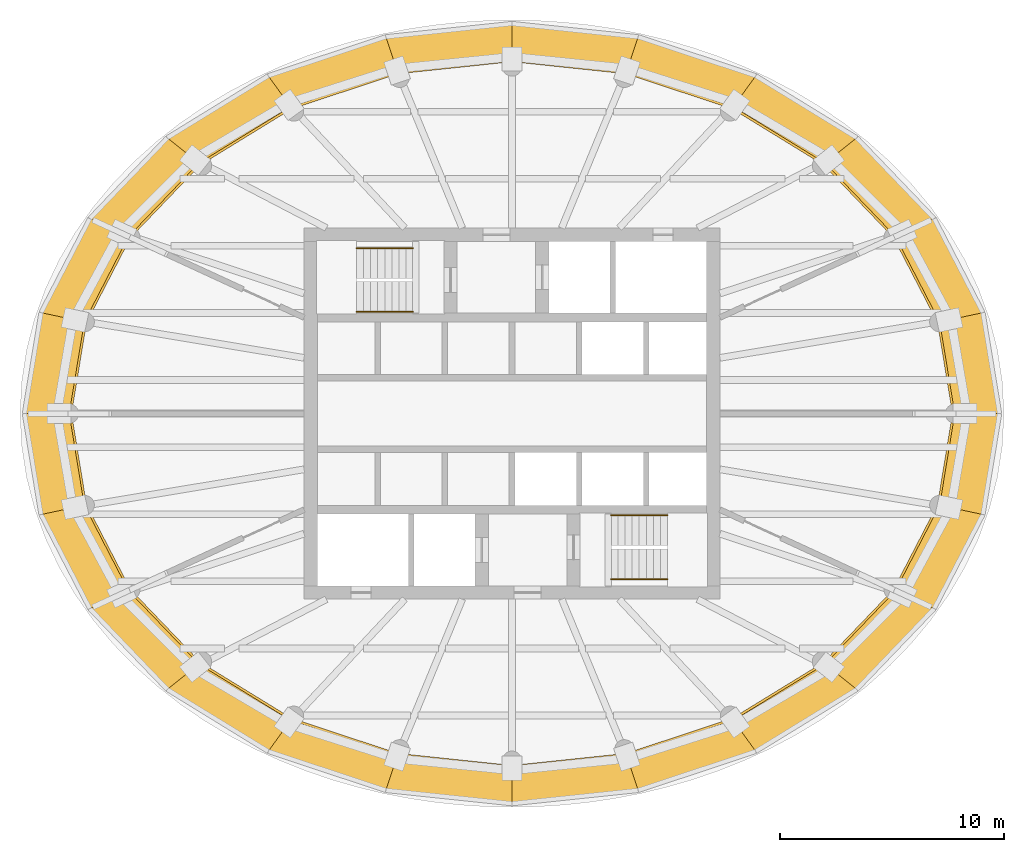
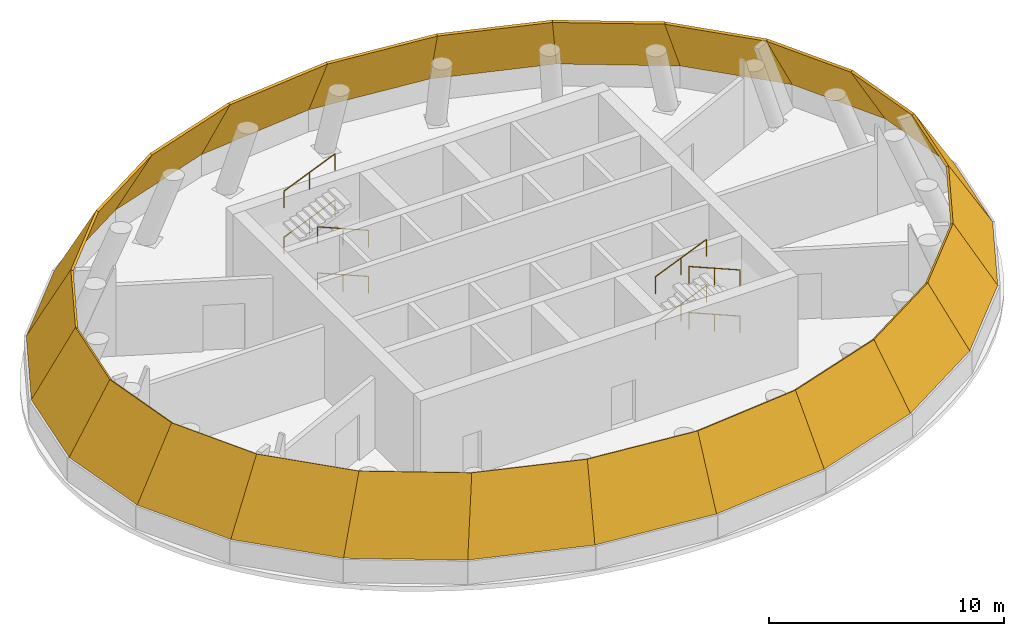
# One storey, part 6 of 6: 24 shading devices, 8 railings.
"""IFC4 building model written with IfcOpenShell, lengths in metres."""

from ifc_helpers import new_model, si_unit, direction, frame, origin, origin_2d, place, context, subcontext, project, spatial, polyline, circle, outline, extrude, material, layer, layer_set, type_object, element, save


model = new_model("IFC4")

# Units and contexts
model_context = context("Model", 3, precision=1e-05, world=origin(), true_north=direction((0.0, 1.0)))
body_context = subcontext(model_context, "Body", "Model", "MODEL_VIEW")
ifc_project = project(units=[si_unit("LENGTHUNIT", "METRE"), si_unit("AREAUNIT", "SQUARE_METRE"), si_unit("VOLUMEUNIT", "CUBIC_METRE"), si_unit("PLANEANGLEUNIT", "RADIAN"), si_unit("MASSUNIT", "GRAM", prefix="KILO")], contexts=[model_context])

# Site, building, storey
site_placement = place(None, origin())
site = spatial("IfcSite", under=ifc_project, at=site_placement, CompositionType="ELEMENT")
building_placement = place(site_placement, origin())
building = spatial("IfcBuilding", under=site, at=building_placement, Name="Hankou Lantern Tower", CompositionType="ELEMENT")
storey_placement = place(building_placement, frame((0.0, 0.0, 232.5)))
storey = spatial("IfcBuildingStorey", under=building, at=storey_placement, Name="L63", CompositionType="ELEMENT", Elevation=232.5)

# Railings
ifc_material_1 = material(Name="Steel handrail", Category="steel")
railing_type = type_object("IfcRailingType", Name="HR1 STAIR HANDRAIL", PredefinedType="HANDRAIL", material=ifc_material_1)
railing_1_placement = place(storey_placement, frame((-4.429931640625, 4.550048828125, 0.89990234375)))
element("IfcRailing", 1, at=railing_1_placement, inside=storey, type_object=railing_type, Name="Handrail stair STA L63 flight 1", PredefinedType="HANDRAIL", context=body_context, shape_type="SweptSolid", body=[
    extrude(circle(Radius=0.02392578125, at=origin_2d()), frame((0.0, 0.0, 0.8759765625), z_axis=(-0.920903207994, 0.0, 0.389791330723), x_axis=(0.0, -1.0, 0.0)), (0.0, 0.0, 1.0), 2.736572265625),
    extrude(circle(Radius=0.02099609375, at=origin_2d()), origin(), (0.0, 0.0, 1.0), 0.851806640625),
    extrude(circle(Radius=0.02099609375, at=origin_2d()), frame((-1.260009765625, 0.0, 0.533203125)), (0.0, 0.0, 1.0), 0.851806640625),
    extrude(circle(Radius=0.02099609375, at=origin_2d()), frame((-2.52001953125, 0.0, 1.066650390625)), (0.0, 0.0, 1.0), 0.851806640625),
])
railing_2_placement = place(storey_placement, frame((-6.949951171875, 7.39990234375, 2.10009765625)))
element("IfcRailing", 2, at=railing_2_placement, inside=storey, type_object=railing_type, Name="Handrail stair STA L63 flight 2", PredefinedType="HANDRAIL", context=body_context, shape_type="SweptSolid", body=[
    extrude(circle(Radius=0.02392578125, at=origin_2d()), frame((0.0, 0.0, 0.8759765625), z_axis=(0.920903207994, 0.0, 0.389791330723), x_axis=(0.0, 1.0, 0.0)), (0.0, 0.0, 1.0), 2.736572265625),
    extrude(circle(Radius=0.02099609375, at=origin_2d()), origin(), (0.0, 0.0, 1.0), 0.851806640625),
    extrude(circle(Radius=0.02099609375, at=origin_2d()), frame((1.260009765625, 0.0, 0.533203125)), (0.0, 0.0, 1.0), 0.851806640625),
    extrude(circle(Radius=0.02099609375, at=origin_2d()), frame((2.52001953125, 0.0, 1.066650390625)), (0.0, 0.0, 1.0), 0.851806640625),
])
railing_3_placement = place(storey_placement, frame((-4.429931640625, 4.550048828125, 3.300048828125)))
element("IfcRailing", 3, at=railing_3_placement, inside=storey, type_object=railing_type, Name="Handrail stair STA L63 flight 3", PredefinedType="HANDRAIL", context=body_context, shape_type="SweptSolid", body=[
    extrude(circle(Radius=0.02392578125, at=origin_2d()), frame((0.0, 0.0, 0.8759765625), z_axis=(-0.920903207994, 0.0, 0.389791330723), x_axis=(0.0, -1.0, 0.0)), (0.0, 0.0, 1.0), 2.736572265625),
    extrude(circle(Radius=0.02099609375, at=origin_2d()), origin(), (0.0, 0.0, 1.0), 0.851806640625),
    extrude(circle(Radius=0.02099609375, at=origin_2d()), frame((-1.260009765625, 0.0, 0.533203125)), (0.0, 0.0, 1.0), 0.851806640625),
    extrude(circle(Radius=0.02099609375, at=origin_2d()), frame((-2.52001953125, 0.0, 1.066650390625)), (0.0, 0.0, 1.0), 0.851806640625),
])
for number, where, name in (
    (4, (-6.949951171875, 7.39990234375, 4.5), "Handrail stair STA L63 flight 4"),
    (5, (4.429931640625, -4.550048828125, 0.89990234375), "Handrail stair STB L63 flight 1"),
):
    element("IfcRailing", number, at=place(storey_placement, frame(where)), inside=storey, type_object=railing_type, Name=name, PredefinedType="HANDRAIL", context=body_context, shape_type="SweptSolid", body=[
        extrude(circle(Radius=0.02392578125, at=origin_2d()), frame((0.0, 0.0, 0.8759765625), z_axis=(0.920903207994, 0.0, 0.389791330723), x_axis=(0.0, 1.0, 0.0)), (0.0, 0.0, 1.0), 2.736572265625),
        extrude(circle(Radius=0.02099609375, at=origin_2d()), origin(), (0.0, 0.0, 1.0), 0.851806640625),
        extrude(circle(Radius=0.02099609375, at=origin_2d()), frame((1.260009765625, 0.0, 0.533203125)), (0.0, 0.0, 1.0), 0.851806640625),
        extrude(circle(Radius=0.02099609375, at=origin_2d()), frame((2.52001953125, 0.0, 1.066650390625)), (0.0, 0.0, 1.0), 0.851806640625),
    ])
railing_4_placement = place(storey_placement, frame((6.949951171875, -7.39990234375, 2.10009765625)))
element("IfcRailing", 6, at=railing_4_placement, inside=storey, type_object=railing_type, Name="Handrail stair STB L63 flight 2", PredefinedType="HANDRAIL", context=body_context, shape_type="SweptSolid", body=[
    extrude(circle(Radius=0.02392578125, at=origin_2d()), frame((0.0, 0.0, 0.8759765625), z_axis=(-0.920903207994, 0.0, 0.389791330723), x_axis=(0.0, -1.0, 0.0)), (0.0, 0.0, 1.0), 2.736572265625),
    extrude(circle(Radius=0.02099609375, at=origin_2d()), origin(), (0.0, 0.0, 1.0), 0.851806640625),
    extrude(circle(Radius=0.02099609375, at=origin_2d()), frame((-1.260009765625, 0.0, 0.533203125)), (0.0, 0.0, 1.0), 0.851806640625),
    extrude(circle(Radius=0.02099609375, at=origin_2d()), frame((-2.52001953125, 0.0, 1.066650390625)), (0.0, 0.0, 1.0), 0.851806640625),
])
railing_5_placement = place(storey_placement, frame((4.429931640625, -4.550048828125, 3.300048828125)))
element("IfcRailing", 7, at=railing_5_placement, inside=storey, type_object=railing_type, Name="Handrail stair STB L63 flight 3", PredefinedType="HANDRAIL", context=body_context, shape_type="SweptSolid", body=[
    extrude(circle(Radius=0.02392578125, at=origin_2d()), frame((0.0, 0.0, 0.8759765625), z_axis=(0.920903207994, 0.0, 0.389791330723), x_axis=(0.0, 1.0, 0.0)), (0.0, 0.0, 1.0), 2.736572265625),
    extrude(circle(Radius=0.02099609375, at=origin_2d()), origin(), (0.0, 0.0, 1.0), 0.851806640625),
    extrude(circle(Radius=0.02099609375, at=origin_2d()), frame((1.260009765625, 0.0, 0.533203125)), (0.0, 0.0, 1.0), 0.851806640625),
    extrude(circle(Radius=0.02099609375, at=origin_2d()), frame((2.52001953125, 0.0, 1.066650390625)), (0.0, 0.0, 1.0), 0.851806640625),
])
railing_6_placement = place(storey_placement, frame((6.949951171875, -7.39990234375, 4.5)))
element("IfcRailing", 8, at=railing_6_placement, inside=storey, type_object=railing_type, Name="Handrail stair STB L63 flight 4", PredefinedType="HANDRAIL", context=body_context, shape_type="SweptSolid", body=[
    extrude(circle(Radius=0.02392578125, at=origin_2d()), frame((0.0, 0.0, 0.8759765625), z_axis=(-0.920903207994, 0.0, 0.389791330723), x_axis=(0.0, -1.0, 0.0)), (0.0, 0.0, 1.0), 2.736572265625),
    extrude(circle(Radius=0.02099609375, at=origin_2d()), origin(), (0.0, 0.0, 1.0), 0.851806640625),
    extrude(circle(Radius=0.02099609375, at=origin_2d()), frame((-1.260009765625, 0.0, 0.533203125)), (0.0, 0.0, 1.0), 0.851806640625),
    extrude(circle(Radius=0.02099609375, at=origin_2d()), frame((-2.52001953125, 0.0, 1.066650390625)), (0.0, 0.0, 1.0), 0.851806640625),
])

# Shading devices
ifc_material_2 = material(Name="Aluminium, black anodised", Category="aluminium")
ifc_layer = layer(ifc_material_2, 0.1201171875)
ifc_layer_set = layer_set([ifc_layer], Name="Aluminium, black anodised")
shading_device_type = type_object("IfcShadingDeviceType", Name="LV2 EAVE LOUVRE PANEL", PredefinedType="USERDEFINED", material=ifc_layer_set)
shading_device_1_placement = place(storey_placement, frame((21.800048828125, 0.0, 1.199951171875), z_axis=(0.850175859193, 0.139932859452, 0.507562610217), x_axis=(-0.162405562015, 0.986724091838, -3.61618e-06)))
element("IfcShadingDevice", 9, at=shading_device_1_placement, inside=storey, type_object=shading_device_type, Name="Eave louvre R01 L63", ObjectType="EAVE LOUVRE", PredefinedType="USERDEFINED", context=body_context, shape_type="SweptSolid", body=[
    extrude(outline(polyline([(0.0, 0.0), (4.574644008594806, 5.551115123125783e-17), (4.4795743814351905, 3.888180141333621), (0.3247990094739927, 3.8881435041410426), (0.0, 0.0)])), origin(), (0.0, 0.0, -1.0), 0.1201171875),
])
shading_device_2_placement = place(storey_placement, frame((21.05712890625, 4.513916015625, 1.199951171875), z_axis=(0.771844140621, 0.399632892129, 0.49452014531), x_axis=(-0.459788495294, 0.888028456523, -6.559e-07)))
element("IfcShadingDevice", 10, at=shading_device_2_placement, inside=storey, type_object=shading_device_type, Name="Eave louvre R02 L63", ObjectType="EAVE LOUVRE", PredefinedType="USERDEFINED", context=body_context, shape_type="SweptSolid", body=[
    extrude(outline(polyline([(0.0, 0.0), (4.736393463623762, 0.0), (4.822360534383538, 3.8543847498616373), (0.520340105539325, 3.8543779291942215), (0.0, 0.0)])), origin(), (0.0, 0.0, -1.0), 0.1201171875),
])
shading_device_3_placement = place(storey_placement, frame((18.87939453125, 8.719970703125, 1.199951171875), z_axis=(0.635450886841, 0.609454861825, 0.474095920475), x_axis=(-0.692191601007, 0.721713785016, 3.778983e-06)))
element("IfcShadingDevice", 11, at=shading_device_3_placement, inside=storey, type_object=shading_device_type, Name="Eave louvre R03 L63", ObjectType="EAVE LOUVRE", PredefinedType="USERDEFINED", context=body_context, shape_type="SweptSolid", body=[
    extrude(outline(polyline([(0.0, 0.0), (5.004871647360946, 2.220446049250313e-16), (5.167346286049992, 3.8048609816419656), (0.6216052712029263, 3.804901972782175), (0.0, 0.0)])), origin(), (0.0, 0.0, -1.0), 0.1201171875),
])
shading_device_4_placement = place(storey_placement, frame((15.4150390625, 12.33203125, 1.199951171875), z_axis=(0.466268372978, 0.759628711603, 0.453385073495), x_axis=(-0.852255651062, 0.523125515747, -2.880007e-06)))
element("IfcShadingDevice", 12, at=shading_device_4_placement, inside=storey, type_object=shading_device_type, Name="Eave louvre R04 L63", ObjectType="EAVE LOUVRE", PredefinedType="USERDEFINED", context=body_context, shape_type="SweptSolid", body=[
    extrude(outline(polyline([(0.0, 0.0), (5.297884976926274, 0.0), (5.425213883156955, 3.7586198351435565), (0.6135043523389868, 3.758587169131329), (0.0, 0.0)])), origin(), (0.0, 0.0, -1.0), 0.1201171875),
])
shading_device_5_placement = place(storey_placement, frame((10.89990234375, 15.103515625, 1.199951171875), z_axis=(0.282856756757, 0.853576033111, 0.43749286949), x_axis=(-0.94923910049, 0.314555448348, 3.889335e-06)))
element("IfcShadingDevice", 13, at=shading_device_5_placement, inside=storey, type_object=shading_device_type, Name="Eave louvre R05 L63", ObjectType="EAVE LOUVRE", PredefinedType="USERDEFINED", context=body_context, shape_type="SweptSolid", body=[
    extrude(outline(polyline([(0.0, 0.0), (5.538704030387692, 2.220446049250313e-16), (5.544137017093156, 3.725527779585108), (0.5133593750569665, 3.7255734949461985), (0.0, 0.0)])), origin(), (0.0, 0.0, -1.0), 0.1201171875),
])
shading_device_6_placement = place(storey_placement, frame((5.642333984375, 16.845703125, 1.199951171875), z_axis=(0.09461774857, 0.898328811556, 0.429013785308), x_axis=(-0.994499065961, 0.104745442819, 3.294563e-06)))
element("IfcShadingDevice", 14, at=shading_device_6_placement, inside=storey, type_object=shading_device_type, Name="Eave louvre R06 L63", ObjectType="EAVE LOUVRE", PredefinedType="USERDEFINED", context=body_context, shape_type="SweptSolid", body=[
    extrude(outline(polyline([(0.0, 0.0), (5.673539629211885, 0.0), (5.505973301379511, 3.7087204129925873), (0.35311012545191456, 3.708759899701577), (0.0, 0.0)])), origin(), (0.0, 0.0, -1.0), 0.1201171875),
])
shading_device_7_placement = place(storey_placement, frame((0.0, 17.43994140625, 1.199951171875), z_axis=(-0.09461774857, 0.898328811556, 0.429013785308), x_axis=(-0.994499065961, -0.104745442819, -3.294563e-06)))
element("IfcShadingDevice", 15, at=shading_device_7_placement, inside=storey, type_object=shading_device_type, Name="Eave louvre R07 L63", ObjectType="EAVE LOUVRE", PredefinedType="USERDEFINED", context=body_context, shape_type="SweptSolid", body=[
    extrude(outline(polyline([(0.0, 0.0), (5.673539629211885, 0.0), (5.3204295037599705, 3.708759899701577), (0.16756632783237424, 3.7087204129925873), (0.0, 0.0)])), origin(), (0.0, 0.0, -1.0), 0.1201171875),
])
shading_device_8_placement = place(storey_placement, frame((-5.642333984375, 16.845703125, 1.199951171875), z_axis=(-0.282856756757, 0.853576033111, 0.43749286949), x_axis=(-0.94923910049, -0.314555448348, -3.889335e-06)))
element("IfcShadingDevice", 16, at=shading_device_8_placement, inside=storey, type_object=shading_device_type, Name="Eave louvre R08 L63", ObjectType="EAVE LOUVRE", PredefinedType="USERDEFINED", context=body_context, shape_type="SweptSolid", body=[
    extrude(outline(polyline([(0.0, 0.0), (5.538704030387692, -2.220446049250313e-16), (5.025344655330726, 3.7255734949461985), (-0.005432986705463755, 3.7255277795851076), (0.0, 0.0)])), origin(), (0.0, 0.0, -1.0), 0.1201171875),
])
shading_device_9_placement = place(storey_placement, frame((-10.89990234375, 15.103515625, 1.199951171875), z_axis=(-0.466268372978, 0.759628711603, 0.453385073495), x_axis=(-0.852255651062, -0.523125515747, 2.880007e-06)))
element("IfcShadingDevice", 17, at=shading_device_9_placement, inside=storey, type_object=shading_device_type, Name="Eave louvre R09 L63", ObjectType="EAVE LOUVRE", PredefinedType="USERDEFINED", context=body_context, shape_type="SweptSolid", body=[
    extrude(outline(polyline([(0.0, 0.0), (5.297884976926274, 0.0), (4.684380624587287, 3.758587169131329), (-0.12732890623068124, 3.7586198351435565), (0.0, 0.0)])), origin(), (0.0, 0.0, -1.0), 0.1201171875),
])
shading_device_10_placement = place(storey_placement, frame((-15.4150390625, 12.33203125, 1.199951171875), z_axis=(-0.635450886841, 0.609454861825, 0.474095920475), x_axis=(-0.692191601007, -0.721713785016, -3.778983e-06)))
element("IfcShadingDevice", 18, at=shading_device_10_placement, inside=storey, type_object=shading_device_type, Name="Eave louvre R10 L63", ObjectType="EAVE LOUVRE", PredefinedType="USERDEFINED", context=body_context, shape_type="SweptSolid", body=[
    extrude(outline(polyline([(0.0, 0.0), (5.004871647360946, -2.220446049250313e-16), (4.38326637615802, 3.804901972782175), (-0.16247463868904644, 3.8048609816419656), (0.0, 0.0)])), origin(), (0.0, 0.0, -1.0), 0.1201171875),
])
shading_device_11_placement = place(storey_placement, frame((-18.87939453125, 8.719970703125, 1.199951171875), z_axis=(-0.771844140621, 0.399632892129, 0.49452014531), x_axis=(-0.459788495294, -0.888028456523, 6.559e-07)))
element("IfcShadingDevice", 19, at=shading_device_11_placement, inside=storey, type_object=shading_device_type, Name="Eave louvre R11 L63", ObjectType="EAVE LOUVRE", PredefinedType="USERDEFINED", context=body_context, shape_type="SweptSolid", body=[
    extrude(outline(polyline([(0.0, 0.0), (4.736393463623762, 0.0), (4.216053358084436, 3.8543779291942215), (-0.08596707075977565, 3.8543847498616373), (0.0, 0.0)])), origin(), (0.0, 0.0, -1.0), 0.1201171875),
])
shading_device_12_placement = place(storey_placement, frame((-21.05712890625, 4.513916015625, 1.199951171875), z_axis=(-0.850175859193, 0.139932859452, 0.507562610217), x_axis=(-0.162405562015, -0.986724091838, 3.61618e-06)))
element("IfcShadingDevice", 20, at=shading_device_12_placement, inside=storey, type_object=shading_device_type, Name="Eave louvre R12 L63", ObjectType="EAVE LOUVRE", PredefinedType="USERDEFINED", context=body_context, shape_type="SweptSolid", body=[
    extrude(outline(polyline([(0.0, 0.0), (4.574644008594806, -5.551115123125783e-17), (4.249844999120814, 3.8881435041410426), (0.09506962715961614, 3.8881801413336214), (0.0, 0.0)])), origin(), (0.0, 0.0, -1.0), 0.1201171875),
])
shading_device_13_placement = place(storey_placement, frame((-21.800048828125, 0.0, 1.199951171875), z_axis=(-0.850175859193, -0.139932859452, 0.507562610217), x_axis=(0.162405562015, -0.986724091838, -3.61618e-06)))
element("IfcShadingDevice", 21, at=shading_device_13_placement, inside=storey, type_object=shading_device_type, Name="Eave louvre R13 L63", ObjectType="EAVE LOUVRE", PredefinedType="USERDEFINED", context=body_context, shape_type="SweptSolid", body=[
    extrude(outline(polyline([(0.0, 0.0), (4.574644008594806, 5.551115123125783e-17), (4.4795743814351905, 3.888180141333621), (0.3247990094739927, 3.8881435041410426), (0.0, 0.0)])), origin(), (0.0, 0.0, -1.0), 0.1201171875),
])
shading_device_14_placement = place(storey_placement, frame((-21.05712890625, -4.513916015625, 1.199951171875), z_axis=(-0.771844140621, -0.399632892129, 0.49452014531), x_axis=(0.459788495294, -0.888028456523, -6.559e-07)))
element("IfcShadingDevice", 22, at=shading_device_14_placement, inside=storey, type_object=shading_device_type, Name="Eave louvre R14 L63", ObjectType="EAVE LOUVRE", PredefinedType="USERDEFINED", context=body_context, shape_type="SweptSolid", body=[
    extrude(outline(polyline([(0.0, 0.0), (4.736393463623762, 0.0), (4.822360534383538, 3.8543847498616373), (0.520340105539325, 3.8543779291942215), (0.0, 0.0)])), origin(), (0.0, 0.0, -1.0), 0.1201171875),
])
shading_device_15_placement = place(storey_placement, frame((-18.87939453125, -8.719970703125, 1.199951171875), z_axis=(-0.635450886841, -0.609454861825, 0.474095920475), x_axis=(0.692191601007, -0.721713785016, 3.778983e-06)))
element("IfcShadingDevice", 23, at=shading_device_15_placement, inside=storey, type_object=shading_device_type, Name="Eave louvre R15 L63", ObjectType="EAVE LOUVRE", PredefinedType="USERDEFINED", context=body_context, shape_type="SweptSolid", body=[
    extrude(outline(polyline([(0.0, 0.0), (5.004871647360946, 2.220446049250313e-16), (5.167346286049992, 3.8048609816419656), (0.6216052712029263, 3.804901972782175), (0.0, 0.0)])), origin(), (0.0, 0.0, -1.0), 0.1201171875),
])
shading_device_16_placement = place(storey_placement, frame((-15.4150390625, -12.33203125, 1.199951171875), z_axis=(-0.466268372978, -0.759628711603, 0.453385073495), x_axis=(0.852255651062, -0.523125515747, -2.880007e-06)))
element("IfcShadingDevice", 24, at=shading_device_16_placement, inside=storey, type_object=shading_device_type, Name="Eave louvre R16 L63", ObjectType="EAVE LOUVRE", PredefinedType="USERDEFINED", context=body_context, shape_type="SweptSolid", body=[
    extrude(outline(polyline([(0.0, 0.0), (5.297884976926274, 0.0), (5.425213883156955, 3.7586198351435565), (0.6135043523389868, 3.758587169131329), (0.0, 0.0)])), origin(), (0.0, 0.0, -1.0), 0.1201171875),
])
shading_device_17_placement = place(storey_placement, frame((-10.89990234375, -15.103515625, 1.199951171875), z_axis=(-0.282856756757, -0.853576033111, 0.43749286949), x_axis=(0.94923910049, -0.314555448348, 3.889335e-06)))
element("IfcShadingDevice", 25, at=shading_device_17_placement, inside=storey, type_object=shading_device_type, Name="Eave louvre R17 L63", ObjectType="EAVE LOUVRE", PredefinedType="USERDEFINED", context=body_context, shape_type="SweptSolid", body=[
    extrude(outline(polyline([(0.0, 0.0), (5.538704030387692, 2.220446049250313e-16), (5.544137017093156, 3.725527779585108), (0.5133593750569665, 3.7255734949461985), (0.0, 0.0)])), origin(), (0.0, 0.0, -1.0), 0.1201171875),
])
shading_device_18_placement = place(storey_placement, frame((-5.642333984375, -16.845703125, 1.199951171875), z_axis=(-0.09461774857, -0.898328811556, 0.429013785308), x_axis=(0.994499065961, -0.104745442819, 3.294563e-06)))
element("IfcShadingDevice", 26, at=shading_device_18_placement, inside=storey, type_object=shading_device_type, Name="Eave louvre R18 L63", ObjectType="EAVE LOUVRE", PredefinedType="USERDEFINED", context=body_context, shape_type="SweptSolid", body=[
    extrude(outline(polyline([(0.0, 0.0), (5.673539629211885, 0.0), (5.505973301379511, 3.7087204129925873), (0.35311012545191456, 3.708759899701577), (0.0, 0.0)])), origin(), (0.0, 0.0, -1.0), 0.1201171875),
])
shading_device_19_placement = place(storey_placement, frame((0.0, -17.43994140625, 1.199951171875), z_axis=(0.09461774857, -0.898328811556, 0.429013785308), x_axis=(0.994499065961, 0.104745442819, -3.294563e-06)))
element("IfcShadingDevice", 27, at=shading_device_19_placement, inside=storey, type_object=shading_device_type, Name="Eave louvre R19 L63", ObjectType="EAVE LOUVRE", PredefinedType="USERDEFINED", context=body_context, shape_type="SweptSolid", body=[
    extrude(outline(polyline([(0.0, 0.0), (5.673539629211885, 0.0), (5.3204295037599705, 3.708759899701577), (0.16756632783237424, 3.7087204129925873), (0.0, 0.0)])), origin(), (0.0, 0.0, -1.0), 0.1201171875),
])
shading_device_20_placement = place(storey_placement, frame((5.642333984375, -16.845703125, 1.199951171875), z_axis=(0.282856756757, -0.853576033111, 0.43749286949), x_axis=(0.94923910049, 0.314555448348, -3.889335e-06)))
element("IfcShadingDevice", 28, at=shading_device_20_placement, inside=storey, type_object=shading_device_type, Name="Eave louvre R20 L63", ObjectType="EAVE LOUVRE", PredefinedType="USERDEFINED", context=body_context, shape_type="SweptSolid", body=[
    extrude(outline(polyline([(0.0, 0.0), (5.538704030387692, -2.220446049250313e-16), (5.025344655330726, 3.7255734949461985), (-0.005432986705463755, 3.7255277795851076), (0.0, 0.0)])), origin(), (0.0, 0.0, -1.0), 0.1201171875),
])
shading_device_21_placement = place(storey_placement, frame((10.89990234375, -15.103515625, 1.199951171875), z_axis=(0.466268372978, -0.759628711603, 0.453385073495), x_axis=(0.852255651062, 0.523125515747, 2.880007e-06)))
element("IfcShadingDevice", 29, at=shading_device_21_placement, inside=storey, type_object=shading_device_type, Name="Eave louvre R21 L63", ObjectType="EAVE LOUVRE", PredefinedType="USERDEFINED", context=body_context, shape_type="SweptSolid", body=[
    extrude(outline(polyline([(0.0, 0.0), (5.297884976926274, 0.0), (4.684380624587287, 3.758587169131329), (-0.12732890623068124, 3.7586198351435565), (0.0, 0.0)])), origin(), (0.0, 0.0, -1.0), 0.1201171875),
])
shading_device_22_placement = place(storey_placement, frame((15.4150390625, -12.33203125, 1.199951171875), z_axis=(0.635450886841, -0.609454861825, 0.474095920475), x_axis=(0.692191601007, 0.721713785016, -3.778983e-06)))
element("IfcShadingDevice", 30, at=shading_device_22_placement, inside=storey, type_object=shading_device_type, Name="Eave louvre R22 L63", ObjectType="EAVE LOUVRE", PredefinedType="USERDEFINED", context=body_context, shape_type="SweptSolid", body=[
    extrude(outline(polyline([(0.0, 0.0), (5.004871647360946, -2.220446049250313e-16), (4.38326637615802, 3.804901972782175), (-0.16247463868904644, 3.8048609816419656), (0.0, 0.0)])), origin(), (0.0, 0.0, -1.0), 0.1201171875),
])
shading_device_23_placement = place(storey_placement, frame((18.87939453125, -8.719970703125, 1.199951171875), z_axis=(0.771844140621, -0.399632892129, 0.49452014531), x_axis=(0.459788495294, 0.888028456523, 6.559e-07)))
element("IfcShadingDevice", 31, at=shading_device_23_placement, inside=storey, type_object=shading_device_type, Name="Eave louvre R23 L63", ObjectType="EAVE LOUVRE", PredefinedType="USERDEFINED", context=body_context, shape_type="SweptSolid", body=[
    extrude(outline(polyline([(0.0, 0.0), (4.736393463623762, 0.0), (4.216053358084436, 3.8543779291942215), (-0.08596707075977565, 3.8543847498616373), (0.0, 0.0)])), origin(), (0.0, 0.0, -1.0), 0.1201171875),
])
shading_device_24_placement = place(storey_placement, frame((21.05712890625, -4.513916015625, 1.199951171875), z_axis=(0.850175859193, -0.139932859452, 0.507562610217), x_axis=(0.162405562015, 0.986724091838, 3.61618e-06)))
element("IfcShadingDevice", 32, at=shading_device_24_placement, inside=storey, type_object=shading_device_type, Name="Eave louvre R24 L63", ObjectType="EAVE LOUVRE", PredefinedType="USERDEFINED", context=body_context, shape_type="SweptSolid", body=[
    extrude(outline(polyline([(0.0, 0.0), (4.574644008594806, -5.551115123125783e-17), (4.249844999120814, 3.8881435041410426), (0.09506962715961614, 3.8881801413336214), (0.0, 0.0)])), origin(), (0.0, 0.0, -1.0), 0.1201171875),
])

save(model, "model.ifc")
